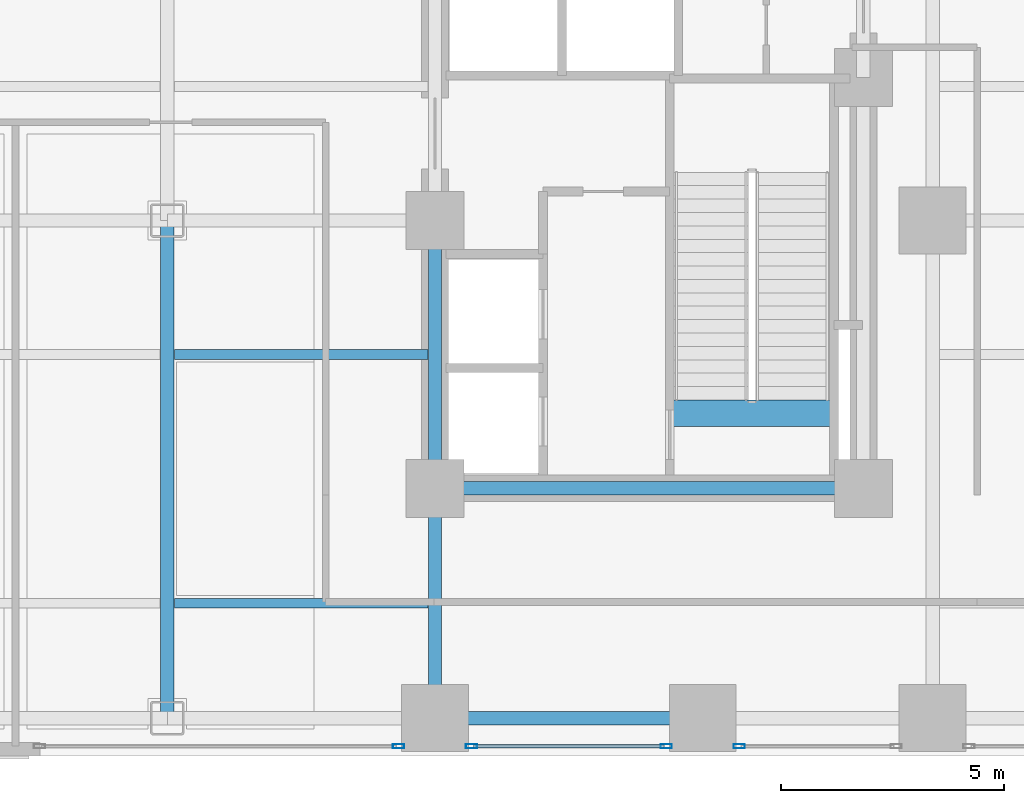
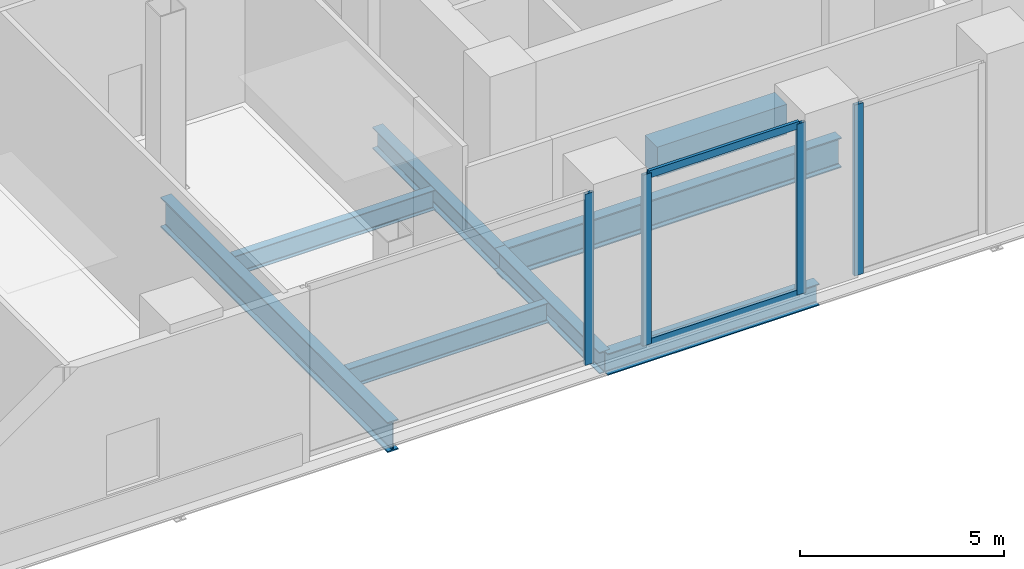
# One storey, part 5 of 27: 8 beams, 6 members, 3 elements without a shape of their own.
"""IFC4 building model written with IfcOpenShell, lengths in metres."""

from ifc_helpers import new_model, si_unit, direction, frame, origin, origin_2d, place, context, subcontext, project, spatial, rectangle, hollow_rectangle, i_section, extrude, material, layer, layer_set, material_profile, profile_set, type_object, element, aggregate, save


model = new_model("IFC4")

# Units and contexts
model_context = context("Model", 3, precision=1e-05, world=origin(), true_north=direction((0.0, 1.0)))
body_context = subcontext(model_context, "Body", "Model", "MODEL_VIEW")
ifc_project = project(units=[si_unit("LENGTHUNIT", "METRE"), si_unit("AREAUNIT", "SQUARE_METRE"), si_unit("VOLUMEUNIT", "CUBIC_METRE"), si_unit("PLANEANGLEUNIT", "RADIAN"), si_unit("MASSUNIT", "GRAM", prefix="KILO"), si_unit("THERMODYNAMICTEMPERATUREUNIT", "KELVIN"), si_unit("POWERUNIT", "WATT")], contexts=[model_context])

# Site, building, storey
site_placement = place(None, origin())
site = spatial("IfcSite", under=ifc_project, at=site_placement, CompositionType="ELEMENT")
building_placement = place(site_placement, origin())
building = spatial("IfcBuilding", under=site, at=building_placement, Name="Svarakhadi Broadcast Tower", CompositionType="ELEMENT")
storey_placement = place(building_placement, frame((0.0, 0.0, 16.5)))
storey = spatial("IfcBuildingStorey", under=building, at=storey_placement, Name="L03", CompositionType="ELEMENT", Elevation=16.5)

# Beams
ifc_material_1 = material(Name="Steel S355J2 (IS 2062 E350C)", Category="steel")
ifc_material_profile_1 = material_profile(ifc_material_1, i_section(OverallWidth=0.219970703125, OverallDepth=0.60009765625, WebThickness=0.011962890625, FlangeThickness=0.01904296875, FilletRadius=0.02392578125, at=origin_2d()), Name="NPB 600x220x122")
ifc_profile_set_1 = profile_set([ifc_material_profile_1], Name="Steel S355J2 (IS 2062 E350C)")
beam_type_1 = type_object("IfcBeamType", Name="Beam_NPB600", PredefinedType="BEAM", material=ifc_profile_set_1)
for number, where, z_axis, x_axis, name in (
    (1, (18.159912109375, 3.425048828125, -0.60009765625), (1.0, 0.0, 0.0), (0.0, 1.0, 0.0), "L03 Secondary Composite Beam SB013"),
    (2, (18.159912109375, 9.0, -0.60009765625), (1.0, 0.0, 0.0), (0.0, 1.0, 0.0), "L03 Secondary Composite Beam SB014"),
):
    element("IfcBeam", number, at=place(storey_placement, frame(where, z_axis=z_axis, x_axis=x_axis)), inside=storey, type_object=beam_type_1, Name=name, PredefinedType="BEAM", context=body_context, shape_type="SweptSolid", body=[
        extrude(i_section(OverallWidth=0.219970703125, OverallDepth=0.60009765625, WebThickness=0.011962890625, FlangeThickness=0.01904296875, FilletRadius=0.02392578125, at=origin_2d()), origin(), (0.0, 0.0, 1.0), 5.68017578125),
    ])

# Curtain wall, member
ifc_material_2 = material(Name="Anodised Bronze Aluminium AA 6063-T6", Category="aluminium")
ifc_layer = layer(ifc_material_2, 0.25)
ifc_layer_set = layer_set([ifc_layer], Name="Anodised Bronze Aluminium AA 6063-T6")
curtain_wall_type = type_object("IfcCurtainWallType", Name="CW_Sys_01", PredefinedType="NOTDEFINED", material=ifc_layer_set)
curtain_wall_1_placement = place(storey_placement, origin())
curtain_wall_1 = element("IfcCurtainWall", 3, at=curtain_wall_1_placement, inside=storey, type_object=curtain_wall_type, Name="L03 South Curtain Wall 11 Bay 3", PredefinedType="NOTDEFINED")
ifc_material_profile_2 = material_profile(ifc_material_2, hollow_rectangle(XDim=0.094970703125, YDim=0.25, WallThickness=0.006103515625, at=origin_2d()), Name="ALU MULLION 250x95x6")
ifc_profile_set_2 = profile_set([ifc_material_profile_2], Name="Anodised Bronze Aluminium AA 6063-T6")
member_type_1 = type_object("IfcMemberType", Name="CW_Sys_01_Mul", PredefinedType="MULLION", material=ifc_profile_set_2)
member_1_placement = place(storey_placement, frame((30.8173828125, 0.219970703125, 0.0), z_axis=(0.0, 0.0, 1.0), x_axis=(0.0, -1.0, 0.0)))
member_1 = element("IfcMember", 4, at=member_1_placement, type_object=member_type_1, Name="CW-01 mullion 2", PredefinedType="MULLION", context=body_context, shape_type="SweptSolid", body=[
    extrude(hollow_rectangle(XDim=0.094970703125, YDim=0.25, WallThickness=0.006103515625, at=origin_2d()), origin(), (0.0, 0.0, 1.0), 5.125),
])
aggregate(curtain_wall_1, [member_1])

# Curtain wall, members
curtain_wall_2_placement = place(storey_placement, origin())
curtain_wall_2 = element("IfcCurtainWall", 5, at=curtain_wall_2_placement, inside=storey, type_object=curtain_wall_type, Name="L03 South Curtain Wall 11 Bay 4", PredefinedType="NOTDEFINED")
member_2_placement = place(storey_placement, frame((29.1826171875, 0.219970703125, 0.0), z_axis=(0.0, 0.0, 1.0), x_axis=(0.0, -1.0, 0.0)))
member_2 = element("IfcMember", 6, at=member_2_placement, type_object=member_type_1, Name="CW-01 mullion 1", PredefinedType="MULLION", context=body_context, shape_type="SweptSolid", body=[
    extrude(hollow_rectangle(XDim=0.094970703125, YDim=0.25, WallThickness=0.006103515625, at=origin_2d()), origin(), (0.0, 0.0, 1.0), 5.125),
])
member_3_placement = place(storey_placement, frame((24.8173828125, 0.219970703125, 0.0), z_axis=(0.0, 0.0, 1.0), x_axis=(0.0, -1.0, 0.0)))
member_3 = element("IfcMember", 7, at=member_3_placement, type_object=member_type_1, Name="CW-01 mullion 2", PredefinedType="MULLION", context=body_context, shape_type="SweptSolid", body=[
    extrude(hollow_rectangle(XDim=0.094970703125, YDim=0.25, WallThickness=0.006103515625, at=origin_2d()), origin(), (0.0, 0.0, 1.0), 5.125),
])

# Curtain wall, member
curtain_wall_3_placement = place(storey_placement, origin())
curtain_wall_3 = element("IfcCurtainWall", 8, at=curtain_wall_3_placement, inside=storey, type_object=curtain_wall_type, Name="L03 South Curtain Wall 11 Bay 5", PredefinedType="NOTDEFINED")
member_4_placement = place(storey_placement, frame((23.1826171875, 0.219970703125, 0.0), z_axis=(0.0, 0.0, 1.0), x_axis=(0.0, -1.0, 0.0)))
member_4 = element("IfcMember", 9, at=member_4_placement, type_object=member_type_1, Name="CW-01 mullion 1", PredefinedType="MULLION", context=body_context, shape_type="SweptSolid", body=[
    extrude(hollow_rectangle(XDim=0.094970703125, YDim=0.25, WallThickness=0.006103515625, at=origin_2d()), origin(), (0.0, 0.0, 1.0), 5.125),
])
aggregate(curtain_wall_3, [member_4])

# Member
ifc_material_profile_3 = material_profile(ifc_material_2, hollow_rectangle(XDim=0.0849609375, YDim=0.219970703125, WallThickness=0.0048828125, at=origin_2d()), Name="ALU TRANSOM 220x85x5")
ifc_profile_set_3 = profile_set([ifc_material_profile_3], Name="Anodised Bronze Aluminium AA 6063-T6")
member_type_2 = type_object("IfcMemberType", Name="CW_Sys_01_Trn", PredefinedType="USERDEFINED", material=ifc_profile_set_3)
member_5_placement = place(storey_placement, frame((29.135009765625, 0.219970703125, 0.04248046875), z_axis=(-1.0, 0.0, 0.0), x_axis=(0.0, -1.0, 0.0)))
member_5 = element("IfcMember", 10, at=member_5_placement, type_object=member_type_2, Name="CW-01 transom 1.1", ObjectType="TRANSOM", PredefinedType="USERDEFINED", context=body_context, shape_type="SweptSolid", body=[
    extrude(hollow_rectangle(XDim=0.0849609375, YDim=0.219970703125, WallThickness=0.0048828125, at=origin_2d()), origin(), (0.0, 0.0, 1.0), 4.27001953125),
])

member_6_placement = place(storey_placement, frame((29.135009765625, 0.219970703125, 5.08251953125), z_axis=(-1.0, 0.0, 0.0), x_axis=(0.0, -1.0, 0.0)))
member_6 = element("IfcMember", 11, at=member_6_placement, type_object=member_type_2, Name="CW-01 transom 1.2", ObjectType="TRANSOM", PredefinedType="USERDEFINED", context=body_context, shape_type="SweptSolid", body=[
    extrude(hollow_rectangle(XDim=0.0849609375, YDim=0.219970703125, WallThickness=0.0048828125, at=origin_2d()), origin(), (0.0, 0.0, 1.0), 4.27001953125),
])

aggregate(curtain_wall_2, [member_2, member_3, member_5, member_6])

# Beams
ifc_material_3 = material(Name="Concrete C50/60 (IS 456 M60)", Category="concrete")
ifc_material_profile_4 = material_profile(ifc_material_3, rectangle(XDim=0.60009765625, YDim=0.89990234375, at=origin_2d()), Name="RC 600x900")
ifc_profile_set_4 = profile_set([ifc_material_profile_4], Name="Concrete C50/60 (IS 456 M60)")
beam_type_2 = type_object("IfcBeamType", Name="Coupling_RC600", PredefinedType="USERDEFINED", material=ifc_profile_set_4)
beam_1_placement = place(storey_placement, frame((29.260009765625, 7.679931640625, -0.449951171875), z_axis=(1.0, 0.0, 0.0), x_axis=(0.0, 1.0, 0.0)))
element("IfcBeam", 12, at=beam_1_placement, inside=storey, type_object=beam_type_2, Name="L03 Stair ST-02 Landing Throat Trimmer Beam CB-01", ObjectType="GIRDER", PredefinedType="USERDEFINED", context=body_context, shape_type="SweptSolid", body=[
    extrude(rectangle(XDim=0.60009765625, YDim=0.89990234375, at=origin_2d()), origin(), (0.0, 0.0, 1.0), 3.679931640625),
])
ifc_material_profile_5 = material_profile(ifc_material_1, i_section(OverallWidth=0.300048828125, OverallDepth=0.64990234375, WebThickness=0.01611328125, FlangeThickness=0.031005859375, FilletRadius=0.027099609375, at=origin_2d()), Name="WPB 650x300x225")
ifc_profile_set_5 = profile_set([ifc_material_profile_5], Name="Steel S355J2 (IS 2062 E350C)")
beam_type_3 = type_object("IfcBeamType", Name="Girder_WPB650", PredefinedType="USERDEFINED", material=ifc_profile_set_5)
beam_2_placement = place(storey_placement, frame((24.0, 0.85009765625, -0.625), z_axis=(1.0, 0.0, 0.0), x_axis=(0.0, 1.0, 0.0)))
element("IfcBeam", 13, at=beam_2_placement, inside=storey, type_object=beam_type_3, Name="L03 Primary E-W Girder G007", ObjectType="GIRDER", PredefinedType="USERDEFINED", context=body_context, shape_type="SweptSolid", body=[
    extrude(i_section(OverallWidth=0.300048828125, OverallDepth=0.64990234375, WebThickness=0.01611328125, FlangeThickness=0.031005859375, FilletRadius=0.027099609375, at=origin_2d()), origin(), (0.0, 0.0, 1.0), 6.0),
])
beam_3_placement = place(storey_placement, frame((24.0, 0.85009765625, -0.625), z_axis=(0.0, 1.0, 0.0), x_axis=(-1.0, 0.0, 0.0)))
element("IfcBeam", 14, at=beam_3_placement, inside=storey, type_object=beam_type_3, Name="L03 Primary N-S Girder G064", ObjectType="GIRDER", PredefinedType="USERDEFINED", context=body_context, shape_type="SweptSolid", body=[
    extrude(i_section(OverallWidth=0.300048828125, OverallDepth=0.64990234375, WebThickness=0.01611328125, FlangeThickness=0.031005859375, FilletRadius=0.027099609375, at=origin_2d()), origin(), (0.0, 0.0, 1.0), 5.14990234375),
])
beam_4_placement = place(storey_placement, frame((24.0, 6.0, -0.625), z_axis=(0.0, 1.0, 0.0), x_axis=(-1.0, 0.0, 0.0)))
element("IfcBeam", 15, at=beam_4_placement, inside=storey, type_object=beam_type_3, Name="L03 Primary N-S Girder G065", ObjectType="GIRDER", PredefinedType="USERDEFINED", context=body_context, shape_type="SweptSolid", body=[
    extrude(i_section(OverallWidth=0.300048828125, OverallDepth=0.64990234375, WebThickness=0.01611328125, FlangeThickness=0.031005859375, FilletRadius=0.027099609375, at=origin_2d()), origin(), (0.0, 0.0, 1.0), 6.0),
])
ifc_material_4 = material(Name="Steel S460ML (IS 2062 E450BR)", Category="steel")
ifc_material_profile_6 = material_profile(ifc_material_4, i_section(OverallWidth=0.300048828125, OverallDepth=0.89990234375, WebThickness=0.0185546875, FlangeThickness=0.034912109375, FilletRadius=0.030029296875, at=origin_2d()), Name="WPB 900x300x291")
ifc_profile_set_6 = profile_set([ifc_material_profile_6], Name="Steel S460ML (IS 2062 E450BR)")
beam_type_4 = type_object("IfcBeamType", Name="Girder_WPB900", PredefinedType="USERDEFINED", material=ifc_profile_set_6)
beam_5_placement = place(storey_placement, frame((24.0, 6.0, -0.75), z_axis=(1.0, 0.0, 0.0), x_axis=(0.0, 1.0, 0.0)))
element("IfcBeam", 16, at=beam_5_placement, inside=storey, type_object=beam_type_4, Name="L03 Primary E-W Girder G013", ObjectType="GIRDER", PredefinedType="USERDEFINED", context=body_context, shape_type="SweptSolid", body=[
    extrude(i_section(OverallWidth=0.300048828125, OverallDepth=0.89990234375, WebThickness=0.0185546875, FlangeThickness=0.034912109375, FilletRadius=0.030029296875, at=origin_2d()), origin(), (0.0, 0.0, 1.0), 9.60009765625),
])
beam_6_placement = place(storey_placement, frame((18.0, 0.85009765625, -0.75), z_axis=(0.0, 1.0, 0.0), x_axis=(-1.0, 0.0, 0.0)))
element("IfcBeam", 17, at=beam_6_placement, inside=storey, type_object=beam_type_4, Name="L03 Primary N-S Girder G059", ObjectType="GIRDER", PredefinedType="USERDEFINED", context=body_context, shape_type="SweptSolid", body=[
    extrude(i_section(OverallWidth=0.300048828125, OverallDepth=0.89990234375, WebThickness=0.0185546875, FlangeThickness=0.034912109375, FilletRadius=0.030029296875, at=origin_2d()), origin(), (0.0, 0.0, 1.0), 11.14990234375),
])

save(model, "model.ifc")
